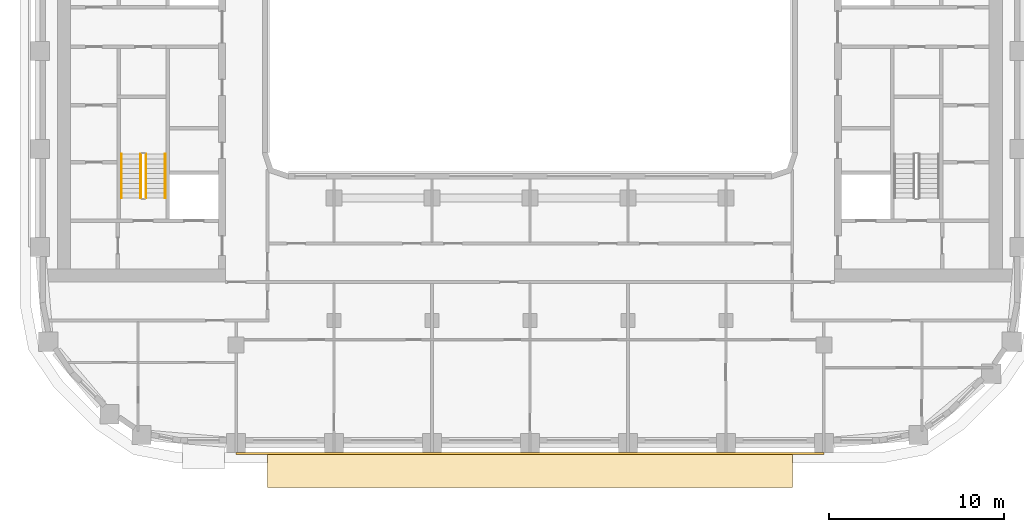
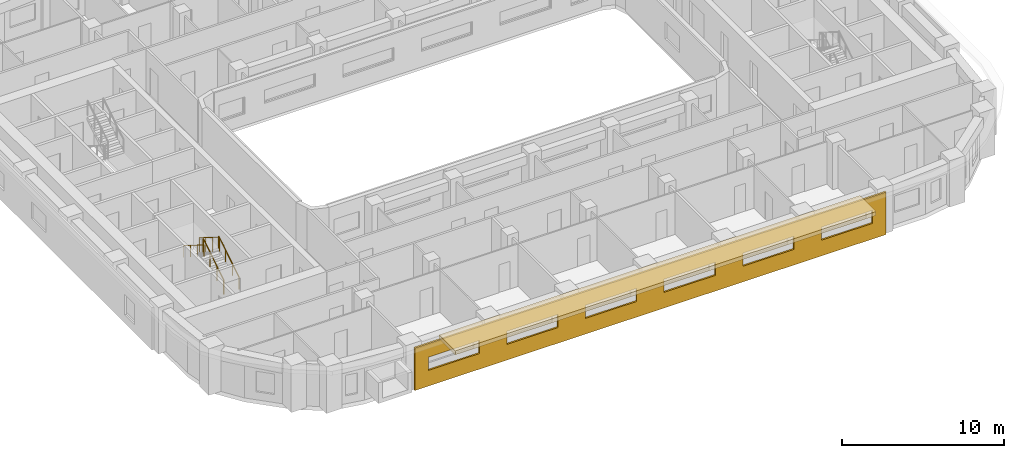
# One storey, part 12 of 22: 4 railings, 2 coverings.
"""IFC4 building model written with IfcOpenShell, lengths in metres."""

from ifc_helpers import new_model, si_unit, direction, frame, origin, origin_2d, place, context, subcontext, project, spatial, polyline, circle, outline, extrude, material, layer, layer_set, type_object, element, save


model = new_model("IFC4")

# Units and contexts
model_context = context("Model", 3, precision=1e-05, world=origin(), true_north=direction((0.0, 1.0)))
body_context = subcontext(model_context, "Body", "Model", "MODEL_VIEW")
ifc_project = project(units=[si_unit("LENGTHUNIT", "METRE"), si_unit("AREAUNIT", "SQUARE_METRE"), si_unit("VOLUMEUNIT", "CUBIC_METRE"), si_unit("PLANEANGLEUNIT", "RADIAN"), si_unit("MASSUNIT", "GRAM", prefix="KILO")], contexts=[model_context])

# Site, building, storey
site_placement = place(None, origin())
site = spatial("IfcSite", under=ifc_project, at=site_placement, CompositionType="ELEMENT")
building_placement = place(site_placement, origin())
building = spatial("IfcBuilding", under=site, at=building_placement, Name="Kiln Ring Residences", CompositionType="ELEMENT")
storey_placement = place(building_placement, frame((0.0, 0.0, 146.60009765625)))
storey = spatial("IfcBuildingStorey", under=building, at=storey_placement, Name="L37", CompositionType="ELEMENT", Elevation=146.60009765625)

# Railings
ifc_material_1 = material(Name="Stainless steel", Category="steel")
railing_type_1 = type_object("IfcRailingType", Name="CORE-STAIR-GUARD", PredefinedType="GUARDRAIL", material=ifc_material_1)
railing_1_placement = place(storey_placement, frame((-21.949951171875, -8.39990234375, 0.1748046875)))
element("IfcRailing", 1, at=railing_1_placement, inside=storey, type_object=railing_type_1, Name="L37 W-STS stair guard 1", PredefinedType="GUARDRAIL", context=body_context, shape_type="SweptSolid", body=[
    extrude(circle(Radius=0.02392578125, at=origin_2d()), frame((0.0, 0.0, 1.076171875), z_axis=(0.0, 0.847970611238, 0.530043245855), x_axis=(-1.0, 0.0, 0.0)), (0.0, 0.0, 1.0), 2.971923828125),
    extrude(circle(Radius=0.02099609375, at=origin_2d()), origin(), (0.0, 0.0, 1.0), 1.052001953125),
    extrude(circle(Radius=0.02099609375, at=origin_2d()), frame((0.0, 0.840087890625, 0.525146484375)), (0.0, 0.0, 1.0), 1.052001953125),
    extrude(circle(Radius=0.02099609375, at=origin_2d()), frame((0.0, 1.679931640625, 1.050048828125)), (0.0, 0.0, 1.0), 1.052001953125),
    extrude(circle(Radius=0.02099609375, at=origin_2d()), frame((0.0, 2.52001953125, 1.5751953125)), (0.0, 0.0, 1.0), 1.052001953125),
])
railing_2_placement = place(storey_placement, frame((-22.25, -5.8798828125, 1.9248046875)))
element("IfcRailing", 2, at=railing_2_placement, inside=storey, type_object=railing_type_1, Name="L37 W-STS stair guard 3", PredefinedType="GUARDRAIL", context=body_context, shape_type="SweptSolid", body=[
    extrude(circle(Radius=0.02392578125, at=origin_2d()), frame((0.0, 0.0, 1.076171875), z_axis=(0.0, -0.847970611238, 0.530043245855), x_axis=(1.0, 0.0, 0.0)), (0.0, 0.0, 1.0), 2.971923828125),
    extrude(circle(Radius=0.02099609375, at=origin_2d()), origin(), (0.0, 0.0, 1.0), 1.052001953125),
    extrude(circle(Radius=0.02099609375, at=origin_2d()), frame((0.0, -0.840087890625, 0.525146484375)), (0.0, 0.0, 1.0), 1.052001953125),
    extrude(circle(Radius=0.02099609375, at=origin_2d()), frame((0.0, -1.679931640625, 1.050048828125)), (0.0, 0.0, 1.0), 1.052001953125),
    extrude(circle(Radius=0.02099609375, at=origin_2d()), frame((0.0, -2.52001953125, 1.5751953125)), (0.0, 0.0, 1.0), 1.052001953125),
])
ifc_material_2 = material(Name="Stainless steel", Category="steel")
railing_type_2 = type_object("IfcRailingType", Name="CORE-STAIR-HANDRAIL", PredefinedType="HANDRAIL", material=ifc_material_2)
railing_3_placement = place(storey_placement, frame((-20.85009765625, -8.39990234375, 0.1748046875)))
element("IfcRailing", 3, at=railing_3_placement, inside=storey, type_object=railing_type_2, Name="L37 W-STS stair handrail 1", PredefinedType="HANDRAIL", context=body_context, shape_type="SweptSolid", body=[
    extrude(circle(Radius=0.02392578125, at=origin_2d()), frame((0.0, 0.0, 0.8759765625), z_axis=(0.0, 0.847970611238, 0.530043245855), x_axis=(-1.0, 0.0, 0.0)), (0.0, 0.0, 1.0), 2.971923828125),
    extrude(circle(Radius=0.02099609375, at=origin_2d()), origin(), (0.0, 0.0, 1.0), 0.851806640625),
    extrude(circle(Radius=0.02099609375, at=origin_2d()), frame((0.0, 0.840087890625, 0.525146484375)), (0.0, 0.0, 1.0), 0.851806640625),
    extrude(circle(Radius=0.02099609375, at=origin_2d()), frame((0.0, 1.679931640625, 1.050048828125)), (0.0, 0.0, 1.0), 0.851806640625),
    extrude(circle(Radius=0.02099609375, at=origin_2d()), frame((0.0, 2.52001953125, 1.5751953125)), (0.0, 0.0, 1.0), 0.851806640625),
])
railing_4_placement = place(storey_placement, frame((-23.35009765625, -5.8798828125, 1.9248046875)))
element("IfcRailing", 4, at=railing_4_placement, inside=storey, type_object=railing_type_2, Name="L37 W-STS stair handrail 2", PredefinedType="HANDRAIL", context=body_context, shape_type="SweptSolid", body=[
    extrude(circle(Radius=0.02392578125, at=origin_2d()), frame((0.0, 0.0, 0.8759765625), z_axis=(0.0, -0.847970611238, 0.530043245855), x_axis=(1.0, 0.0, 0.0)), (0.0, 0.0, 1.0), 2.971923828125),
    extrude(circle(Radius=0.02099609375, at=origin_2d()), origin(), (0.0, 0.0, 1.0), 0.851806640625),
    extrude(circle(Radius=0.02099609375, at=origin_2d()), frame((0.0, -0.840087890625, 0.525146484375)), (0.0, 0.0, 1.0), 0.851806640625),
    extrude(circle(Radius=0.02099609375, at=origin_2d()), frame((0.0, -1.679931640625, 1.050048828125)), (0.0, 0.0, 1.0), 0.851806640625),
    extrude(circle(Radius=0.02099609375, at=origin_2d()), frame((0.0, -2.52001953125, 1.5751953125)), (0.0, 0.0, 1.0), 0.851806640625),
])

# Coverings
ifc_material_3 = material(Name="Brick masonry, dark clay brick", Category="masonry")
ifc_layer_1 = layer(ifc_material_3, 0.1201171875)
ifc_layer_set_1 = layer_set([ifc_layer_1], Name="RAINSCREEN PANEL 120")
covering_type_1 = type_object("IfcCoveringType", Name="RAINSCREEN PANEL 120", PredefinedType="CLADDING", material=ifc_layer_set_1)
covering_1_placement = place(storey_placement, frame((-16.800048828125, -23.010009765625, 0.0), z_axis=(0.0, 0.0, 1.0), x_axis=(1.0, 0.0, 0.0)))
element("IfcCovering", 5, at=covering_1_placement, inside=storey, type_object=covering_type_1, Name="RAINSCREEN L37", PredefinedType="CLADDING", context=body_context, shape_type="SweptSolid", body=[
    extrude(outline(polyline([(0.0, 0.0), (33.60009765625, 0.0), (33.60009765625, 3.199951171875), (0.0, 3.199951171875), (0.0, 0.0)]), holes=[polyline([(4.6201171875, 1.179931640625), (4.6201171875, 2.169921875), (0.97998046875, 2.169921875), (0.97998046875, 1.179931640625), (4.6201171875, 1.179931640625)]), polyline([(6.580078125, 1.179931640625), (10.219970703125, 1.179931640625), (10.219970703125, 2.169921875), (6.580078125, 2.169921875), (6.580078125, 1.179931640625)]), polyline([(12.179931640625, 1.179931640625), (15.820068359375, 1.179931640625), (15.820068359375, 2.169921875), (12.179931640625, 2.169921875), (12.179931640625, 1.179931640625)]), polyline([(21.419921875, 1.179931640625), (21.419921875, 2.169921875), (17.780029296875, 2.169921875), (17.780029296875, 1.179931640625), (21.419921875, 1.179931640625)]), polyline([(23.3798828125, 1.179931640625), (27.02001953125, 1.179931640625), (27.02001953125, 2.169921875), (23.3798828125, 2.169921875), (23.3798828125, 1.179931640625)]), polyline([(28.97998046875, 1.179931640625), (32.6201171875, 1.179931640625), (32.6201171875, 2.169921875), (28.97998046875, 2.169921875), (28.97998046875, 1.179931640625)])]), frame((0.0, 0.06005859375, 0.0), z_axis=(0.0, -1.0, 0.0), x_axis=(1.0, 0.0, 0.0)), (0.0, 0.0, 1.0), 0.1201171875),
])
ifc_material_4 = material(Name="Black powder-coated steel", Category="steel")
ifc_layer_2 = layer(ifc_material_4, 0.300048828125)
ifc_layer_set_2 = layer_set([ifc_layer_2], Name="SUNSHADE BAND 2000")
covering_type_2 = type_object("IfcCoveringType", Name="SUNSHADE BAND 2000", PredefinedType="CLADDING", material=ifc_layer_set_2)
covering_2_placement = place(storey_placement, frame((0.0, 0.0, 3.199951171875)))
element("IfcCovering", 6, at=covering_2_placement, inside=storey, type_object=covering_type_2, Name="SUNSHADE BAND L37", PredefinedType="CLADDING", context=body_context, shape_type="SweptSolid", body=[
    extrude(outline(polyline([(-15.0, -24.949951171875), (15.0, -24.949951171875), (15.0, -22.949951171875), (-15.0, -22.949951171875), (-15.0, -24.949951171875)])), origin(), (0.0, 0.0, 1.0), 0.300048828125),
])

save(model, "model.ifc")
